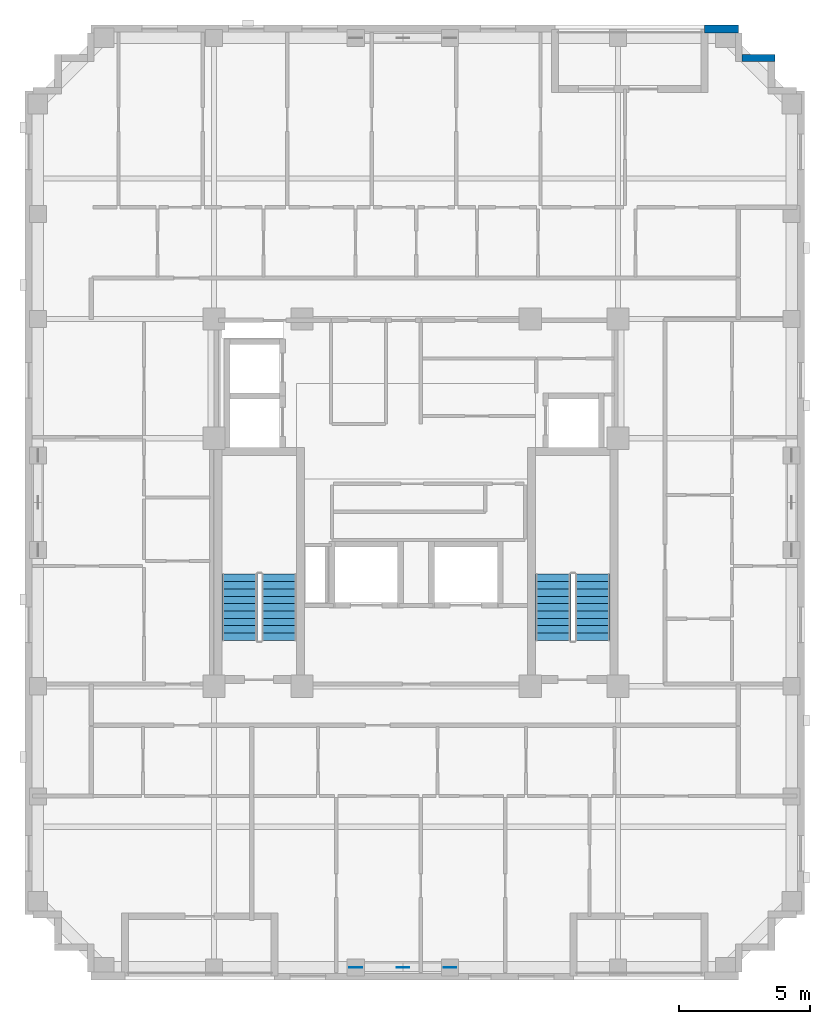
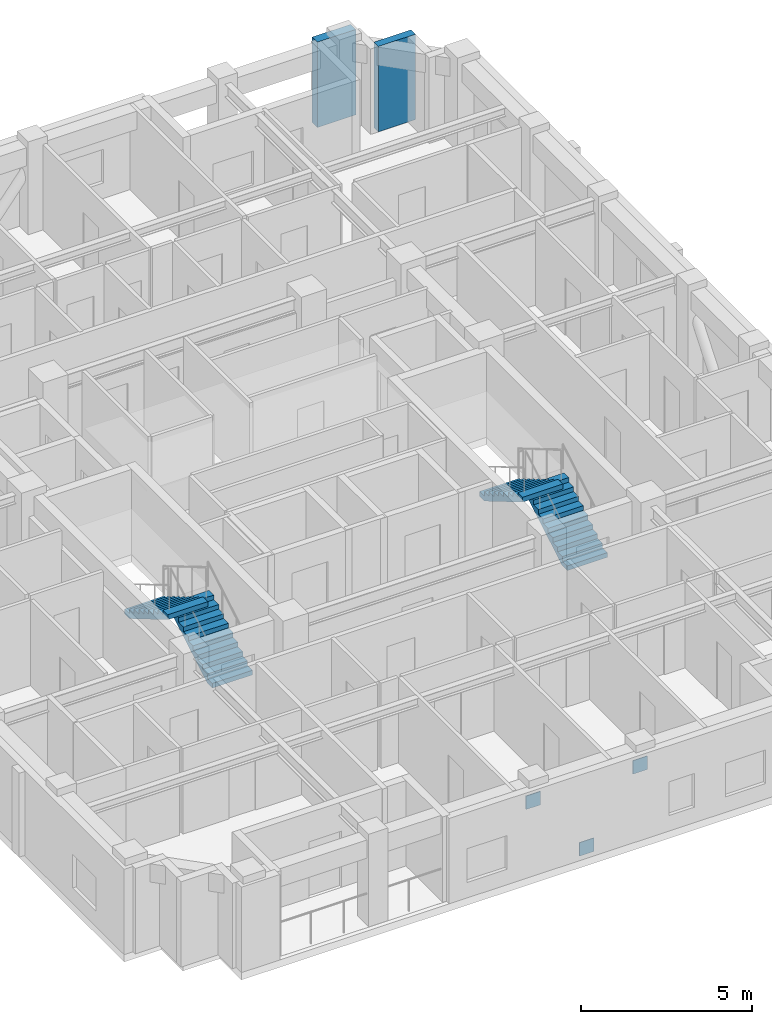
# One storey, part 8 of 11: 4 stair flights, 3 discrete accessories, 2 walls, 2 elements without a shape of their own.
"""IFC4 building model written with IfcOpenShell, lengths in metres."""

from ifc_helpers import new_model, si_unit, derived_unit, direction, frame, frame_2d, origin, origin_2d, place, context, subcontext, project, spatial, polyline, rectangle, outline, extrude, material, layer, layer_set, type_object, element, aggregate, save


model = new_model("IFC4")

# Units and contexts
model_context = context("Model", 3, precision=1e-05, world=origin(), true_north=direction((0.0, 1.0)))
body_context = subcontext(model_context, "Body", "Model", "MODEL_VIEW")
ifc_project = project(units=[si_unit("LENGTHUNIT", "METRE"), si_unit("AREAUNIT", "SQUARE_METRE"), si_unit("VOLUMEUNIT", "CUBIC_METRE"), si_unit("PLANEANGLEUNIT", "RADIAN"), si_unit("MASSUNIT", "GRAM", prefix="KILO"), derived_unit("THERMALTRANSMITTANCEUNIT", [(si_unit("MASSUNIT", "GRAM", prefix="KILO"), 1), (si_unit("TIMEUNIT", "SECOND"), -3), (si_unit("THERMODYNAMICTEMPERATUREUNIT", "KELVIN"), -1)])], contexts=[model_context])

# Site, building, storey
site_placement = place(None, origin())
site = spatial("IfcSite", under=ifc_project, at=site_placement, CompositionType="ELEMENT")
building_placement = place(site_placement, origin())
building = spatial("IfcBuilding", under=site, at=building_placement, Name="Korrvale Station Residences", CompositionType="ELEMENT")
storey_placement = place(building_placement, frame((0.0, 0.0, 197.5)))
storey = spatial("IfcBuildingStorey", under=building, at=storey_placement, Name="L57", CompositionType="ELEMENT", Elevation=197.5)

# Walls
ifc_material_1 = material(Name="Precast concrete C45/55", Category="concrete")
ifc_layer_1 = layer(ifc_material_1, 0.260009765625, Name="Precast concrete C45/55")
ifc_layer_set_1 = layer_set([ifc_layer_1], Name="Precast concrete C45/55")
wall_type_1 = type_object("IfcWallType", Name="WAL-EXT-LOG260", PredefinedType="SOLIDWALL", material=ifc_layer_set_1)
wall_1_placement = place(storey_placement, frame((37.931884765625, 38.949951171875, 0.0), z_axis=(0.0, 0.0, 1.0), x_axis=(1.0, 0.0, 0.0)))
element("IfcWall", 1, at=wall_1_placement, inside=storey, type_object=wall_type_1, Name="L57 Serrated Corner Precast Step NE-2", PredefinedType="SOLIDWALL", context=body_context, shape_type="SweptSolid", body=[
    extrude(rectangle(XDim=1.248046875, YDim=0.260009765625, at=frame_2d((0.6240234375, 0.0))), origin(), (0.0, 0.0, 1.0), 3.0400390625),
])
ifc_layer_2 = layer(ifc_material_1, 0.300048828125, Name="Precast concrete C45/55")
ifc_layer_set_2 = layer_set([ifc_layer_2], Name="Precast concrete C45/55")
wall_type_2 = type_object("IfcWallType", Name="WAL-EXT-PC300", PredefinedType="SOLIDWALL", material=ifc_layer_set_2)
wall_2_placement = place(storey_placement, frame((36.5, 40.050048828125, 0.0), z_axis=(0.0, 0.0, 1.0), x_axis=(1.0, 0.0, 0.0)))
element("IfcWall", 2, at=wall_2_placement, inside=storey, type_object=wall_type_2, Name="L57 North Exterior Precast Wall 2", PredefinedType="SOLIDWALL", context=body_context, shape_type="SweptSolid", body=[
    extrude(rectangle(XDim=1.300048828125, YDim=0.300048828125, at=frame_2d((0.64990234375, 0.0))), origin(), (0.0, 0.0, 1.0), 3.0400390625),
])

# Stair, stair flights
ifc_material_2 = material(Name="Concrete C50/60", Category="concrete")
stair_type = type_object("IfcStairType", Name="STR-DL-1350-20R-1650", PredefinedType="HALF_TURN_STAIR", material=ifc_material_2)
stair_1_placement = place(storey_placement, origin())
stair_1 = element("IfcStair", 3, at=stair_1_placement, inside=storey, type_object=stair_type, Name="L57 Exit Stair 1", PredefinedType="HALF_TURN_STAIR")
stair_flight_type = type_object("IfcStairFlightType", Name="FLT-DL-1350-20R-1650", PredefinedType="STRAIGHT", material=ifc_material_2)
stair_flight_1_placement = place(storey_placement, frame((20.27490234375, 16.75, 0.0), z_axis=(0.0, 0.0, 1.0), x_axis=(0.0, 1.0, 0.0)))
stair_flight_1 = element("IfcStairFlight", 4, at=stair_flight_1_placement, type_object=stair_flight_type, Name="ST-1 flight 1", NumberOfRisers=10, NumberOfTreads=9, PredefinedType="STRAIGHT", RiserHeight=0.165, TreadLength=0.28, context=body_context, shape_type="SweptSolid", body=[
    extrude(outline(polyline([(0.0, 0.0), (0.0, 0.1650390625), (0.280029296875, 0.1650390625), (0.280029296875, 0.330078125), (0.56005859375, 0.330078125), (0.56005859375, 0.4951171875), (0.840087890625, 0.4951171875), (0.840087890625, 0.659912109375), (1.1201171875, 0.659912109375), (1.1201171875, 0.824951171875), (1.39990234375, 0.824951171875), (1.39990234375, 0.989990234375), (1.679931640625, 0.989990234375), (1.679931640625, 1.155029296875), (1.9599609375, 1.155029296875), (1.9599609375, 1.320068359375), (2.239990234375, 1.320068359375), (2.239990234375, 1.485107421875), (2.52001953125, 1.485107421875), (2.52001953125, 1.64990234375), (2.52001953125, 1.31103515625), (0.295166015625, 0.0), (0.0, 0.0)])), frame((0.0, 0.675048828125, 0.0), z_axis=(0.0, -1.0, 0.0), x_axis=(1.0, 0.0, 0.0)), (0.0, 0.0, 1.0), 1.35009765625),
])
stair_flight_2_placement = place(storey_placement, frame((18.77490234375, 19.27001953125, 1.64990234375), z_axis=(0.0, 0.0, 1.0), x_axis=(0.0, -1.0, 0.0)))
stair_flight_2 = element("IfcStairFlight", 5, at=stair_flight_2_placement, type_object=stair_flight_type, Name="ST-1 flight 2", NumberOfRisers=10, NumberOfTreads=9, PredefinedType="STRAIGHT", RiserHeight=0.165, TreadLength=0.28, context=body_context, shape_type="SweptSolid", body=[
    extrude(outline(polyline([(0.0, 0.0), (0.0, 0.1650390625), (0.280029296875, 0.1650390625), (0.280029296875, 0.330078125), (0.56005859375, 0.330078125), (0.56005859375, 0.4951171875), (0.840087890625, 0.4951171875), (0.840087890625, 0.659912109375), (1.1201171875, 0.659912109375), (1.1201171875, 0.824951171875), (1.39990234375, 0.824951171875), (1.39990234375, 0.989990234375), (1.679931640625, 0.989990234375), (1.679931640625, 1.155029296875), (1.9599609375, 1.155029296875), (1.9599609375, 1.320068359375), (2.239990234375, 1.320068359375), (2.239990234375, 1.485107421875), (2.52001953125, 1.485107421875), (2.52001953125, 1.64990234375), (2.52001953125, 1.31103515625), (0.295166015625, 0.0), (0.0, 0.0)])), frame((0.0, 0.675048828125, 0.0), z_axis=(0.0, -1.0, 0.0), x_axis=(1.0, 0.0, 0.0)), (0.0, 0.0, 1.0), 1.35009765625),
])
aggregate(stair_1, [stair_flight_1, stair_flight_2])

stair_2_placement = place(storey_placement, origin())
stair_2 = element("IfcStair", 6, at=stair_2_placement, inside=storey, type_object=stair_type, Name="L57 Exit Stair 2", PredefinedType="HALF_TURN_STAIR")
stair_flight_3_placement = place(storey_placement, frame((32.22509765625, 16.75, 0.0), z_axis=(0.0, 0.0, 1.0), x_axis=(0.0, 1.0, 0.0)))
stair_flight_3 = element("IfcStairFlight", 7, at=stair_flight_3_placement, type_object=stair_flight_type, Name="ST-2 flight 1", NumberOfRisers=10, NumberOfTreads=9, PredefinedType="STRAIGHT", RiserHeight=0.165, TreadLength=0.28, context=body_context, shape_type="SweptSolid", body=[
    extrude(outline(polyline([(0.0, 0.0), (0.0, 0.1650390625), (0.280029296875, 0.1650390625), (0.280029296875, 0.330078125), (0.56005859375, 0.330078125), (0.56005859375, 0.4951171875), (0.840087890625, 0.4951171875), (0.840087890625, 0.659912109375), (1.1201171875, 0.659912109375), (1.1201171875, 0.824951171875), (1.39990234375, 0.824951171875), (1.39990234375, 0.989990234375), (1.679931640625, 0.989990234375), (1.679931640625, 1.155029296875), (1.9599609375, 1.155029296875), (1.9599609375, 1.320068359375), (2.239990234375, 1.320068359375), (2.239990234375, 1.485107421875), (2.52001953125, 1.485107421875), (2.52001953125, 1.64990234375), (2.52001953125, 1.31103515625), (0.295166015625, 0.0), (0.0, 0.0)])), frame((0.0, 0.675048828125, 0.0), z_axis=(0.0, -1.0, 0.0), x_axis=(1.0, 0.0, 0.0)), (0.0, 0.0, 1.0), 1.35009765625),
])
stair_flight_4_placement = place(storey_placement, frame((30.72509765625, 19.27001953125, 1.64990234375), z_axis=(0.0, 0.0, 1.0), x_axis=(0.0, -1.0, 0.0)))
stair_flight_4 = element("IfcStairFlight", 8, at=stair_flight_4_placement, type_object=stair_flight_type, Name="ST-2 flight 2", NumberOfRisers=10, NumberOfTreads=9, PredefinedType="STRAIGHT", RiserHeight=0.165, TreadLength=0.28, context=body_context, shape_type="SweptSolid", body=[
    extrude(outline(polyline([(0.0, 0.0), (0.0, 0.1650390625), (0.280029296875, 0.1650390625), (0.280029296875, 0.330078125), (0.56005859375, 0.330078125), (0.56005859375, 0.4951171875), (0.840087890625, 0.4951171875), (0.840087890625, 0.659912109375), (1.1201171875, 0.659912109375), (1.1201171875, 0.824951171875), (1.39990234375, 0.824951171875), (1.39990234375, 0.989990234375), (1.679931640625, 0.989990234375), (1.679931640625, 1.155029296875), (1.9599609375, 1.155029296875), (1.9599609375, 1.320068359375), (2.239990234375, 1.320068359375), (2.239990234375, 1.485107421875), (2.52001953125, 1.485107421875), (2.52001953125, 1.64990234375), (2.52001953125, 1.31103515625), (0.295166015625, 0.0), (0.0, 0.0)])), frame((0.0, 0.675048828125, 0.0), z_axis=(0.0, -1.0, 0.0), x_axis=(1.0, 0.0, 0.0)), (0.0, 0.0, 1.0), 1.35009765625),
])
aggregate(stair_2, [stair_flight_3, stair_flight_4])

# Discrete accessories
ifc_material_3 = material(Name="Steel S355", Category="steel")
ifc_layer_3 = layer(ifc_material_3, 0.02490234375, Name="Steel S355")
ifc_layer_set_3 = layer_set([ifc_layer_3], Name="Steel S355")
discrete_accessory_type = type_object("IfcDiscreteAccessoryType", Name="ACC-GUSSET-25", PredefinedType="BRACKET", material=ifc_layer_set_3)
for number, where, z_axis, x_axis, name in (
    (9, (25.0, 4.280029296875, -0.219970703125), (0.0, 0.0, 1.0), (1.0, 0.0, 0.0), "L57 S Brace End Gusset Connection M"),
    (10, (23.199951171875, 4.280029296875, 2.070068359375), (0.0, 0.0, 1.0), (1.0, 0.0, 0.0), "L57 S Brace End Gusset Connection A"),
    (11, (26.800048828125, 4.280029296875, 2.070068359375), (0.0, 0.0, 1.0), (1.0, 0.0, 0.0), "L57 S Brace End Gusset Connection B"),
):
    element("IfcDiscreteAccessory", number, at=place(storey_placement, frame(where, z_axis=z_axis, x_axis=x_axis)), inside=storey, type_object=discrete_accessory_type, Name=name, PredefinedType="BRACKET", context=body_context, shape_type="SweptSolid", body=[
        extrude(rectangle(XDim=0.47998046875, YDim=0.02490234375, at=origin_2d()), origin(), (0.0, 0.0, 1.0), 0.47998046875),
    ])

save(model, "model.ifc")
